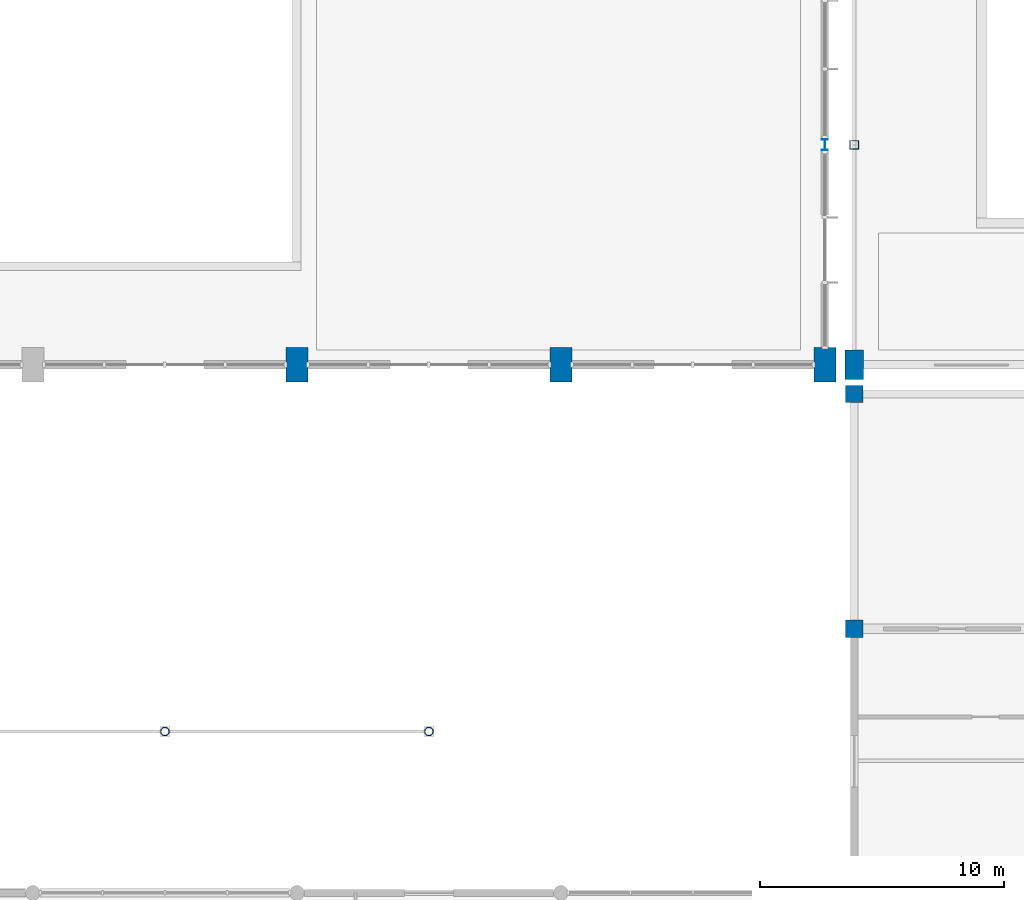
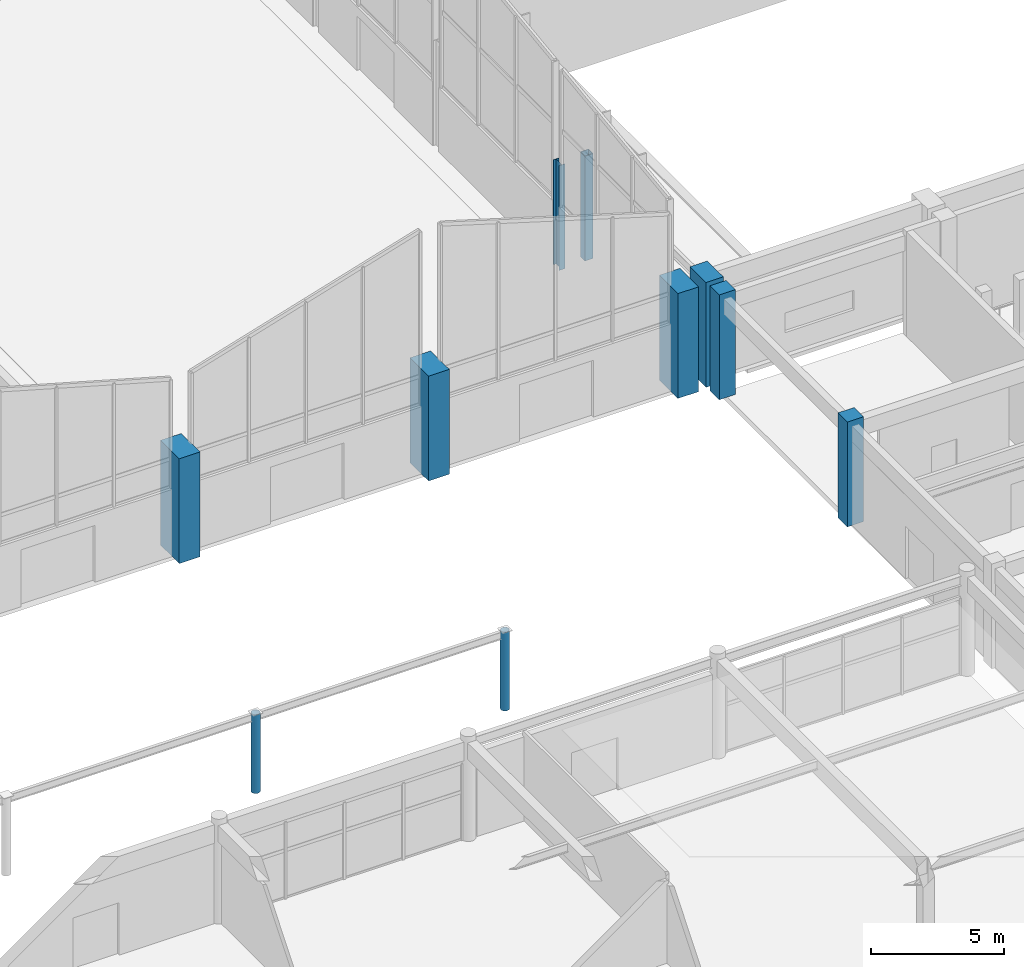
# One storey, part 10 of 82: 10 columns.
"""IFC4 building model written with IfcOpenShell, lengths in metres."""

from ifc_helpers import new_model, si_unit, direction, frame, origin, origin_2d, place, context, subcontext, project, spatial, rectangle, hollow_rectangle, hollow_circle, i_section, extrude, material, material_profile, profile_set, type_object, element, save


model = new_model("IFC4")

# Units and contexts
model_context = context("Model", 3, precision=1e-05, world=origin(), true_north=direction((0.0, 1.0)))
body_context = subcontext(model_context, "Body", "Model", "MODEL_VIEW")
ifc_project = project(units=[si_unit("LENGTHUNIT", "METRE"), si_unit("AREAUNIT", "SQUARE_METRE"), si_unit("VOLUMEUNIT", "CUBIC_METRE"), si_unit("PLANEANGLEUNIT", "RADIAN"), si_unit("MASSUNIT", "GRAM", prefix="KILO")], contexts=[model_context])

# Site, building, storey
site_placement = place(None, origin())
site = spatial("IfcSite", under=ifc_project, at=site_placement, CompositionType="ELEMENT")
building_placement = place(site_placement, origin())
building = spatial("IfcBuilding", under=site, at=building_placement, Name="Suirenkawa Promenade Aquatics Centre", CompositionType="ELEMENT")
storey_placement = place(building_placement, origin())
storey = spatial("IfcBuildingStorey", under=building, at=storey_placement, Name="L00", CompositionType="ELEMENT", Elevation=0.0)

# Columns
ifc_material_1 = material(Name="Concrete M40", Category="concrete")
ifc_material_profile_1 = material_profile(ifc_material_1, rectangle(XDim=0.75, YDim=1.199951171875, at=origin_2d()), Name="RC PIER 750x1200", Category="concrete")
ifc_profile_set_1 = profile_set([ifc_material_profile_1], Name="Concrete M40")
column_type_1 = type_object("IfcColumnType", Name="CT-PIER-750x1200", PredefinedType="COLUMN", material=ifc_profile_set_1)
column_1_placement = place(storey_placement, frame((156.0, 50.39990234375, 0.0), z_axis=(0.0, 0.0, 1.0), x_axis=(1.0, 0.0, 0.0)))
element("IfcColumn", 1, at=column_1_placement, inside=storey, type_object=column_type_1, Name="Column CL-08 COL-0081", PredefinedType="COLUMN", context=body_context, shape_type="SweptSolid", body=[
    extrude(rectangle(XDim=0.75, YDim=1.199951171875, at=origin_2d()), origin(), (0.0, 0.0, 1.0), 4.800048828125),
])
ifc_material_profile_2 = material_profile(ifc_material_1, rectangle(XDim=0.89990234375, YDim=1.39990234375, at=origin_2d()), Name="RC PIER 900x1400", Category="concrete")
ifc_profile_set_2 = profile_set([ifc_material_profile_2], Name="Concrete M40")
column_type_2 = type_object("IfcColumnType", Name="CT-PIER-900x1400", PredefinedType="COLUMN", material=ifc_profile_set_2)
for number, where, z_axis, x_axis, name in (
    (2, (133.199951171875, 50.39990234375, 0.0), (0.0, 0.0, 1.0), (1.0, 0.0, 0.0), "Column CL-09 COL-0143"),
    (3, (144.0, 50.39990234375, 0.0), (0.0, 0.0, 1.0), (1.0, 0.0, 0.0), "Column CL-09 COL-0149"),
    (4, (154.800048828125, 50.39990234375, 0.0), (0.0, 0.0, 1.0), (1.0, 0.0, 0.0), "Column CL-09 COL-0155"),
):
    element("IfcColumn", number, at=place(storey_placement, frame(where, z_axis=z_axis, x_axis=x_axis)), inside=storey, type_object=column_type_2, Name=name, PredefinedType="COLUMN", context=body_context, shape_type="SweptSolid", body=[
        extrude(rectangle(XDim=0.89990234375, YDim=1.39990234375, at=origin_2d()), origin(), (0.0, 0.0, 1.0), 4.800048828125),
    ])
ifc_material_profile_3 = material_profile(ifc_material_1, rectangle(XDim=0.699951171875, YDim=0.699951171875, at=origin_2d()), Name="RC COL 700x700", Category="concrete")
ifc_profile_set_3 = profile_set([ifc_material_profile_3], Name="Concrete M40")
column_type_3 = type_object("IfcColumnType", Name="CT-RC-700", PredefinedType="COLUMN", material=ifc_profile_set_3)
for number, where, z_axis, x_axis, name in (
    (5, (156.0, 39.60009765625, 0.0), (0.0, 0.0, 1.0), (1.0, 0.0, 0.0), "Column CL-04 COL-0453"),
    (6, (156.0, 49.199951171875, 0.0), (0.0, 0.0, 1.0), (1.0, 0.0, 0.0), "Column CL-04 COL-0458"),
):
    element("IfcColumn", number, at=place(storey_placement, frame(where, z_axis=z_axis, x_axis=x_axis)), inside=storey, type_object=column_type_3, Name=name, PredefinedType="COLUMN", context=body_context, shape_type="SweptSolid", body=[
        extrude(rectangle(XDim=0.699951171875, YDim=0.699951171875, at=origin_2d()), origin(), (0.0, 0.0, 1.0), 4.800048828125),
    ])
ifc_material_2 = material(Name="Steel IS 2062 E350 (Grade 350)", Category="steel")
ifc_material_profile_4 = material_profile(ifc_material_2, hollow_circle(Radius=0.177978515625, WallThickness=0.01611328125, at=origin_2d()), Name="CHS 356x16", Category="steel")
ifc_profile_set_4 = profile_set([ifc_material_profile_4], Name="Steel IS 2062 E350 (Grade 350)")
column_type_4 = type_object("IfcColumnType", Name="CT-STL-CHS356", PredefinedType="COLUMN", material=ifc_profile_set_4)
for number, where, z_axis, x_axis, name in (
    (7, (127.800048828125, 35.39990234375, 0.0), (0.0, 0.0, 1.0), (1.0, 0.0, 0.0), "Column CL-16 COL-1112"),
    (8, (138.60009765625, 35.39990234375, 0.0), (0.0, 0.0, 1.0), (1.0, 0.0, 0.0), "Column CL-16 COL-1114"),
):
    element("IfcColumn", number, at=place(storey_placement, frame(where, z_axis=z_axis, x_axis=x_axis)), inside=storey, type_object=column_type_4, Name=name, PredefinedType="COLUMN", context=body_context, shape_type="SweptSolid", body=[
        extrude(hollow_circle(Radius=0.177978515625, WallThickness=0.01611328125, at=origin_2d()), origin(), (0.0, 0.0, 1.0), 3.60009765625),
    ])
ifc_material_profile_5 = material_profile(ifc_material_2, i_section(OverallWidth=0.25, OverallDepth=0.449951171875, WebThickness=0.010986328125, FlangeThickness=0.013916015625, at=origin_2d()), Name="ISHB 450", Category="steel")
ifc_profile_set_5 = profile_set([ifc_material_profile_5], Name="Steel IS 2062 E350 (Grade 350)")
column_type_5 = type_object("IfcColumnType", Name="CT-STL-ISHB450", PredefinedType="COLUMN", material=ifc_profile_set_5)
column_2_placement = place(storey_placement, frame((154.800048828125, 59.39990234375, 0.0), z_axis=(0.0, 0.0, 1.0), x_axis=(1.0, 0.0, 0.0)))
element("IfcColumn", 9, at=column_2_placement, inside=storey, type_object=column_type_5, Name="Column CL-13 COL-0795", PredefinedType="COLUMN", context=body_context, shape_type="SweptSolid", body=[
    extrude(i_section(OverallWidth=0.25, OverallDepth=0.449951171875, WebThickness=0.010986328125, FlangeThickness=0.013916015625, at=origin_2d()), origin(), (0.0, 0.0, 1.0), 4.800048828125),
])
ifc_material_profile_6 = material_profile(ifc_material_2, hollow_rectangle(XDim=0.35009765625, YDim=0.35009765625, WallThickness=0.01611328125, at=origin_2d()), Name="SHS 350x350x16", Category="steel")
ifc_profile_set_6 = profile_set([ifc_material_profile_6], Name="Steel IS 2062 E350 (Grade 350)")
column_type_6 = type_object("IfcColumnType", Name="CT-STL-SHS350", PredefinedType="COLUMN", material=ifc_profile_set_6)
column_3_placement = place(storey_placement, frame((156.0, 59.39990234375, 0.0), z_axis=(0.0, 0.0, 1.0), x_axis=(1.0, 0.0, 0.0)))
element("IfcColumn", 10, at=column_3_placement, inside=storey, type_object=column_type_6, Name="Column CL-15 COL-0617", PredefinedType="COLUMN", context=body_context, shape_type="SweptSolid", body=[
    extrude(hollow_rectangle(XDim=0.35009765625, YDim=0.35009765625, WallThickness=0.01611328125, at=origin_2d()), origin(), (0.0, 0.0, 1.0), 4.800048828125),
])

save(model, "model.ifc")
